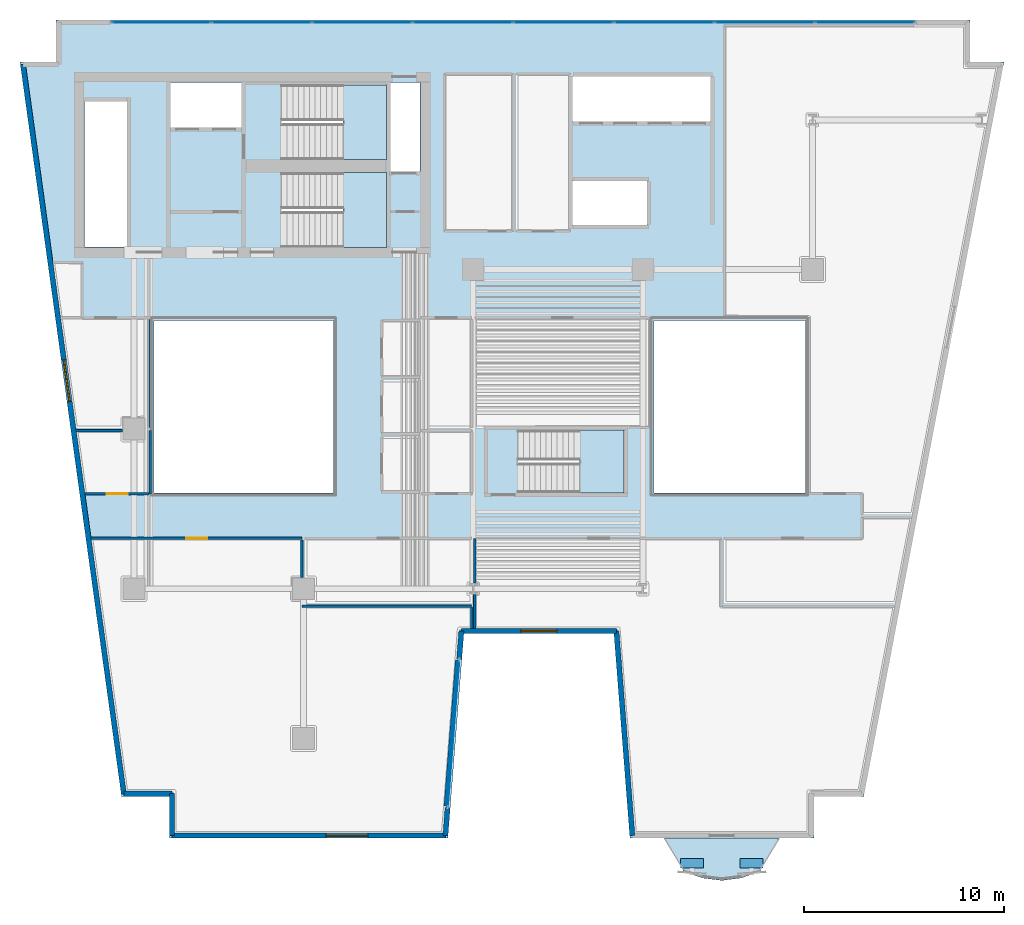
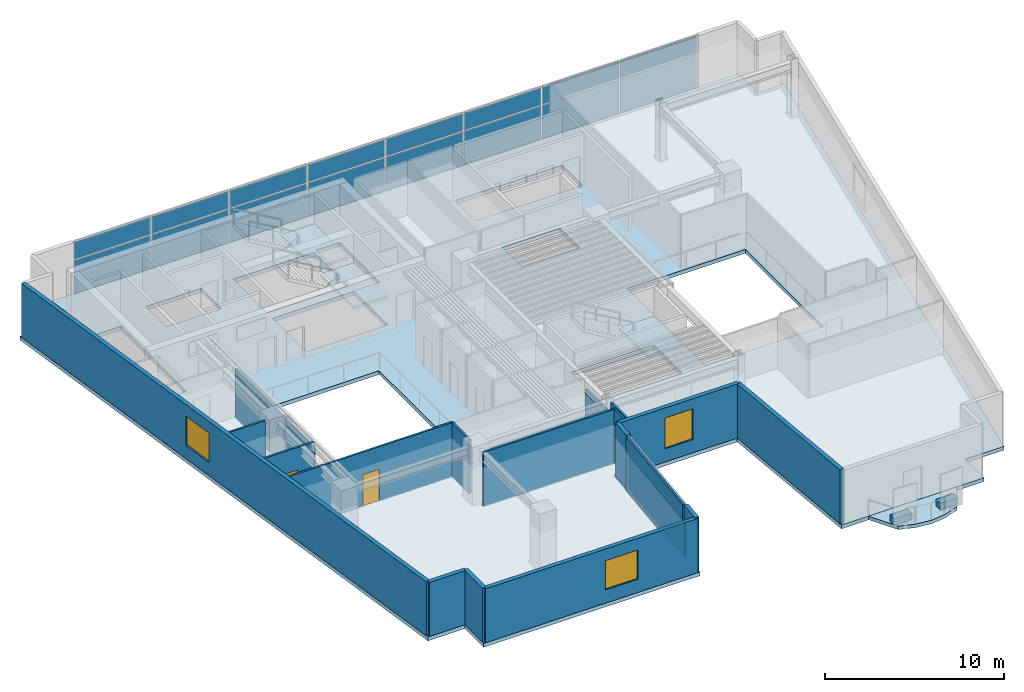
# One storey, part 5 of 12: 20 plates, 19 walls, 5 slabs, 3 windows, 2 doors, 5 openings, 5 elements without a shape of their own.
"""IFC4 building model written with IfcOpenShell, lengths in metres."""

from ifc_helpers import new_model, si_unit, direction, frame, frame_2d, origin, origin_2d, place, context, subcontext, project, spatial, polyline, rectangle, outline, extrude, material, layer, layer_set, type_object, element, fill, aggregate, save


model = new_model("IFC4")

# Units and contexts
model_context = context("Model", 3, precision=1e-05, world=origin(), true_north=direction((0.0, 1.0)))
body_context = subcontext(model_context, "Body", "Model", "MODEL_VIEW")
ifc_project = project(units=[si_unit("LENGTHUNIT", "METRE"), si_unit("AREAUNIT", "SQUARE_METRE"), si_unit("VOLUMEUNIT", "CUBIC_METRE"), si_unit("PLANEANGLEUNIT", "RADIAN"), si_unit("MASSUNIT", "GRAM", prefix="KILO")], contexts=[model_context])

# Site, building, storey
site_placement = place(None, origin())
site = spatial("IfcSite", under=ifc_project, at=site_placement, CompositionType="ELEMENT")
building_placement = place(site_placement, origin())
building = spatial("IfcBuilding", under=site, at=building_placement, Name="Caeloran Harvest Quay", CompositionType="ELEMENT")
storey_placement = place(building_placement, frame((0.0, 0.0, 115.35009765625)))
storey = spatial("IfcBuildingStorey", under=building, at=storey_placement, Name="L26", CompositionType="ELEMENT", Elevation=115.35009765625)

# Slab
ifc_material_1 = material(Name="Concrete C50/60", Category="concrete")
ifc_layer_1 = layer(ifc_material_1, 0.239990234375, Name="Concrete C50/60")
ifc_layer_set_1 = layer_set([ifc_layer_1], Name="Concrete C50/60")
slab_type_1 = type_object("IfcSlabType", Name="BALCONY-BL-240", PredefinedType="FLOOR", material=ifc_layer_set_1)
slab_1_placement = place(storey_placement, frame((0.0, 0.0, -0.239990234375)))
element("IfcSlab", 1, at=slab_1_placement, inside=storey, type_object=slab_type_1, Name="L26 Scalloped Cantilevered Planted Balcony Slab", PredefinedType="FLOOR", context=body_context, shape_type="SweptSolid", body=[
    extrude(outline(polyline([(39.869873046875, 0.830078125), (38.913818359375, 0.50048828125), (37.95751953125, 0.3798828125), (37.001220703125, 0.50048828125), (36.045166015625, 0.830078125), (35.100341796875, 2.5), (40.814697265625, 2.5), (39.869873046875, 0.830078125)])), origin(), (0.0, 0.0, 1.0), 0.239990234375),
])

# Curtain wall, plates
ifc_material_2 = material(Name="Aluminium 6063-T6 and Low-E Glazing", Category="aluminium")
ifc_layer_2 = layer(ifc_material_2, 0.18994140625, Name="Aluminium 6063-T6 and Low-E Glazing")
ifc_layer_set_2 = layer_set([ifc_layer_2], Name="Aluminium 6063-T6 and Low-E Glazing")
curtain_wall_type = type_object("IfcCurtainWallType", Name="CW-SYS-CW-3", PredefinedType="USERDEFINED", material=ifc_layer_set_2)
curtain_wall_1_placement = place(storey_placement, origin())
curtain_wall_1 = element("IfcCurtainWall", 2, at=curtain_wall_1_placement, inside=storey, type_object=curtain_wall_type, Name="L26 Unitised Curtain Wall CW-3 Run 6", ObjectType="CURTAIN_WALL", PredefinedType="USERDEFINED")
ifc_material_3 = material(Name="Low-E Double Glazed Vision Glass Unit", Category="glass")
ifc_layer_3 = layer(ifc_material_3, 0.035888671875, Name="Low-E Double Glazed Vision Glass Unit")
ifc_layer_set_3 = layer_set([ifc_layer_3], Name="Low-E Double Glazed Vision Glass Unit")
plate_type_1 = type_object("IfcPlateType", Name="CW-VISION-PANEL", PredefinedType="CURTAIN_PANEL", material=ifc_layer_set_3)
plate_1_placement = place(storey_placement, frame((9.871337890625, 43.3701171875, 0.080078125), z_axis=(0.0, 0.0, 1.0), x_axis=(1.0, 0.0, 0.0)))
plate_1 = element("IfcPlate", 3, at=plate_1_placement, type_object=plate_type_1, Name="CW-3 panel 1.1", PredefinedType="CURTAIN_PANEL", context=body_context, shape_type="SweptSolid", body=[
    extrude(rectangle(XDim=4.922607421875, YDim=0.035888671875, at=origin_2d()), origin(), (0.0, 0.0, 1.0), 2.280029296875),
])
plate_2_placement = place(storey_placement, frame((9.871337890625, 43.3701171875, 2.43994140625), z_axis=(0.0, 0.0, 1.0), x_axis=(1.0, 0.0, 0.0)))
plate_2 = element("IfcPlate", 4, at=plate_2_placement, type_object=plate_type_1, Name="CW-3 panel 1.2", PredefinedType="CURTAIN_PANEL", context=body_context, shape_type="SweptSolid", body=[
    extrude(rectangle(XDim=4.922607421875, YDim=0.035888671875, at=origin_2d()), origin(), (0.0, 0.0, 1.0), 1.169921875),
])
plate_3_placement = place(storey_placement, frame((14.893798828125, 43.3701171875, 0.080078125), z_axis=(0.0, 0.0, 1.0), x_axis=(1.0, 0.0, 0.0)))
plate_3 = element("IfcPlate", 5, at=plate_3_placement, type_object=plate_type_1, Name="CW-3 panel 2.1", PredefinedType="CURTAIN_PANEL", context=body_context, shape_type="SweptSolid", body=[
    extrude(rectangle(XDim=4.96240234375, YDim=0.035888671875, at=origin_2d()), origin(), (0.0, 0.0, 1.0), 2.280029296875),
])
plate_4_placement = place(storey_placement, frame((14.893798828125, 43.3701171875, 2.43994140625), z_axis=(0.0, 0.0, 1.0), x_axis=(1.0, 0.0, 0.0)))
plate_4 = element("IfcPlate", 6, at=plate_4_placement, type_object=plate_type_1, Name="CW-3 panel 2.2", PredefinedType="CURTAIN_PANEL", context=body_context, shape_type="SweptSolid", body=[
    extrude(rectangle(XDim=4.96240234375, YDim=0.035888671875, at=origin_2d()), origin(), (0.0, 0.0, 1.0), 1.169921875),
])
plate_5_placement = place(storey_placement, frame((19.936279296875, 43.3701171875, 0.080078125), z_axis=(0.0, 0.0, 1.0), x_axis=(1.0, 0.0, 0.0)))
plate_5 = element("IfcPlate", 7, at=plate_5_placement, type_object=plate_type_1, Name="CW-3 panel 3.1", PredefinedType="CURTAIN_PANEL", context=body_context, shape_type="SweptSolid", body=[
    extrude(rectangle(XDim=4.96240234375, YDim=0.035888671875, at=origin_2d()), origin(), (0.0, 0.0, 1.0), 2.280029296875),
])
plate_6_placement = place(storey_placement, frame((19.936279296875, 43.3701171875, 2.43994140625), z_axis=(0.0, 0.0, 1.0), x_axis=(1.0, 0.0, 0.0)))
plate_6 = element("IfcPlate", 8, at=plate_6_placement, type_object=plate_type_1, Name="CW-3 panel 3.2", PredefinedType="CURTAIN_PANEL", context=body_context, shape_type="SweptSolid", body=[
    extrude(rectangle(XDim=4.96240234375, YDim=0.035888671875, at=origin_2d()), origin(), (0.0, 0.0, 1.0), 1.169921875),
])
plate_7_placement = place(storey_placement, frame((24.978759765625, 43.3701171875, 0.080078125), z_axis=(0.0, 0.0, 1.0), x_axis=(1.0, 0.0, 0.0)))
plate_7 = element("IfcPlate", 9, at=plate_7_placement, type_object=plate_type_1, Name="CW-3 panel 4.1", PredefinedType="CURTAIN_PANEL", context=body_context, shape_type="SweptSolid", body=[
    extrude(rectangle(XDim=4.96240234375, YDim=0.035888671875, at=origin_2d()), origin(), (0.0, 0.0, 1.0), 2.280029296875),
])
plate_8_placement = place(storey_placement, frame((24.978759765625, 43.3701171875, 2.43994140625), z_axis=(0.0, 0.0, 1.0), x_axis=(1.0, 0.0, 0.0)))
plate_8 = element("IfcPlate", 10, at=plate_8_placement, type_object=plate_type_1, Name="CW-3 panel 4.2", PredefinedType="CURTAIN_PANEL", context=body_context, shape_type="SweptSolid", body=[
    extrude(rectangle(XDim=4.96240234375, YDim=0.035888671875, at=origin_2d()), origin(), (0.0, 0.0, 1.0), 1.169921875),
])
plate_9_placement = place(storey_placement, frame((30.021240234375, 43.3701171875, 0.080078125), z_axis=(0.0, 0.0, 1.0), x_axis=(1.0, 0.0, 0.0)))
plate_9 = element("IfcPlate", 11, at=plate_9_placement, type_object=plate_type_1, Name="CW-3 panel 5.1", PredefinedType="CURTAIN_PANEL", context=body_context, shape_type="SweptSolid", body=[
    extrude(rectangle(XDim=4.96240234375, YDim=0.035888671875, at=origin_2d()), origin(), (0.0, 0.0, 1.0), 2.280029296875),
])
plate_10_placement = place(storey_placement, frame((30.021240234375, 43.3701171875, 2.43994140625), z_axis=(0.0, 0.0, 1.0), x_axis=(1.0, 0.0, 0.0)))
plate_10 = element("IfcPlate", 12, at=plate_10_placement, type_object=plate_type_1, Name="CW-3 panel 5.2", PredefinedType="CURTAIN_PANEL", context=body_context, shape_type="SweptSolid", body=[
    extrude(rectangle(XDim=4.96240234375, YDim=0.035888671875, at=origin_2d()), origin(), (0.0, 0.0, 1.0), 1.169921875),
])
plate_11_placement = place(storey_placement, frame((35.063720703125, 43.3701171875, 0.080078125), z_axis=(0.0, 0.0, 1.0), x_axis=(1.0, 0.0, 0.0)))
plate_11 = element("IfcPlate", 13, at=plate_11_placement, type_object=plate_type_1, Name="CW-3 panel 6.1", PredefinedType="CURTAIN_PANEL", context=body_context, shape_type="SweptSolid", body=[
    extrude(rectangle(XDim=4.96240234375, YDim=0.035888671875, at=origin_2d()), origin(), (0.0, 0.0, 1.0), 2.280029296875),
])
plate_12_placement = place(storey_placement, frame((35.063720703125, 43.3701171875, 2.43994140625), z_axis=(0.0, 0.0, 1.0), x_axis=(1.0, 0.0, 0.0)))
plate_12 = element("IfcPlate", 14, at=plate_12_placement, type_object=plate_type_1, Name="CW-3 panel 6.2", PredefinedType="CURTAIN_PANEL", context=body_context, shape_type="SweptSolid", body=[
    extrude(rectangle(XDim=4.96240234375, YDim=0.035888671875, at=origin_2d()), origin(), (0.0, 0.0, 1.0), 1.169921875),
])
plate_13_placement = place(storey_placement, frame((40.106201171875, 43.3701171875, 0.080078125), z_axis=(0.0, 0.0, 1.0), x_axis=(1.0, 0.0, 0.0)))
plate_13 = element("IfcPlate", 15, at=plate_13_placement, type_object=plate_type_1, Name="CW-3 panel 7.1", PredefinedType="CURTAIN_PANEL", context=body_context, shape_type="SweptSolid", body=[
    extrude(rectangle(XDim=4.96240234375, YDim=0.035888671875, at=origin_2d()), origin(), (0.0, 0.0, 1.0), 2.280029296875),
])
plate_14_placement = place(storey_placement, frame((40.106201171875, 43.3701171875, 2.43994140625), z_axis=(0.0, 0.0, 1.0), x_axis=(1.0, 0.0, 0.0)))
plate_14 = element("IfcPlate", 16, at=plate_14_placement, type_object=plate_type_1, Name="CW-3 panel 7.2", PredefinedType="CURTAIN_PANEL", context=body_context, shape_type="SweptSolid", body=[
    extrude(rectangle(XDim=4.96240234375, YDim=0.035888671875, at=origin_2d()), origin(), (0.0, 0.0, 1.0), 1.169921875),
])
plate_15_placement = place(storey_placement, frame((45.128662109375, 43.3701171875, 0.080078125), z_axis=(0.0, 0.0, 1.0), x_axis=(1.0, 0.0, 0.0)))
plate_15 = element("IfcPlate", 17, at=plate_15_placement, type_object=plate_type_1, Name="CW-3 panel 8.1", PredefinedType="CURTAIN_PANEL", context=body_context, shape_type="SweptSolid", body=[
    extrude(rectangle(XDim=4.922607421875, YDim=0.035888671875, at=origin_2d()), origin(), (0.0, 0.0, 1.0), 2.280029296875),
])
plate_16_placement = place(storey_placement, frame((45.128662109375, 43.3701171875, 2.43994140625), z_axis=(0.0, 0.0, 1.0), x_axis=(1.0, 0.0, 0.0)))
plate_16 = element("IfcPlate", 18, at=plate_16_placement, type_object=plate_type_1, Name="CW-3 panel 8.2", PredefinedType="CURTAIN_PANEL", context=body_context, shape_type="SweptSolid", body=[
    extrude(rectangle(XDim=4.922607421875, YDim=0.035888671875, at=origin_2d()), origin(), (0.0, 0.0, 1.0), 1.169921875),
])
aggregate(curtain_wall_1, [plate_1, plate_2, plate_3, plate_4, plate_5, plate_6, plate_7, plate_8, plate_9, plate_10, plate_11, plate_12, plate_13, plate_14, plate_15, plate_16])

curtain_wall_2_placement = place(storey_placement, origin())
curtain_wall_2 = element("IfcCurtainWall", 19, at=curtain_wall_2_placement, inside=storey, type_object=curtain_wall_type, Name="L26 Unitised Curtain Wall CW-3 Run 15", ObjectType="CURTAIN_WALL", PredefinedType="USERDEFINED")
plate_17_placement = place(storey_placement, frame((24.509765625, 7.7548828125, 0.080078125), z_axis=(0.0, 0.0, 1.0), x_axis=(-0.077821861046, -0.996967280277, 0.0)))
plate_17 = element("IfcPlate", 20, at=plate_17_placement, type_object=plate_type_1, Name="CW-3 panel 1.1", PredefinedType="CURTAIN_PANEL", context=body_context, shape_type="SweptSolid", body=[
    extrude(rectangle(XDim=7.3212890625, YDim=0.035888671875, at=origin_2d()), origin(), (0.0, 0.0, 1.0), 2.280029296875),
])
plate_18_placement = place(storey_placement, frame((24.509765625, 7.7548828125, 2.43994140625), z_axis=(0.0, 0.0, 1.0), x_axis=(-0.077821861046, -0.996967280277, 0.0)))
plate_18 = element("IfcPlate", 21, at=plate_18_placement, type_object=plate_type_1, Name="CW-3 panel 1.2", PredefinedType="CURTAIN_PANEL", context=body_context, shape_type="SweptSolid", body=[
    extrude(rectangle(XDim=7.3212890625, YDim=0.035888671875, at=origin_2d()), origin(), (0.0, 0.0, 1.0), 1.169921875),
])
aggregate(curtain_wall_2, [plate_17, plate_18])

# Plates
ifc_material_4 = material(Name="Precast concrete C50/60", Category="concrete")
ifc_layer_4 = layer(ifc_material_4, 0.449951171875, Name="Precast concrete C50/60")
ifc_layer_set_4 = layer_set([ifc_layer_4], Name="Precast concrete C50/60")
plate_type_2 = type_object("IfcPlateType", Name="PLANTER-TROUGH-450", PredefinedType="USERDEFINED", material=ifc_layer_set_4)
for number, where, z_axis, x_axis, name in (
    (22, (39.44921875, 1.235107421875, 0.0), (0.0, 0.0, 1.0), (1.0, 0.0, 0.0), "L26 Balcony Vertical-Greenery Precast PLANTER Trough 1"),
    (23, (36.4658203125, 1.235107421875, 0.0), (0.0, 0.0, 1.0), (1.0, 0.0, 0.0), "L26 Balcony Vertical-Greenery Precast PLANTER Trough 2"),
):
    element("IfcPlate", number, at=place(storey_placement, frame(where, z_axis=z_axis, x_axis=x_axis)), inside=storey, type_object=plate_type_2, Name=name, ObjectType="PLANTER", PredefinedType="USERDEFINED", context=body_context, shape_type="SweptSolid", body=[
        extrude(rectangle(XDim=1.14990234375, YDim=0.47998046875, at=origin_2d()), origin(), (0.0, 0.0, 1.0), 0.449951171875),
    ])

# Slab
ifc_layer_5 = layer(ifc_material_1, 0.260009765625, Name="Concrete C50/60")
ifc_layer_set_5 = layer_set([ifc_layer_5], Name="Concrete C50/60")
slab_type_2 = type_object("IfcSlabType", Name="SLAB-FS-260", PredefinedType="FLOOR", material=ifc_layer_set_5)
slab_2_placement = place(storey_placement, frame((0.0, 0.0, -0.260009765625)))
element("IfcSlab", 24, at=slab_2_placement, inside=storey, type_object=slab_type_2, Name="L26 Structural Floor Slab", PredefinedType="FLOOR", context=body_context, shape_type="SweptSolid", body=[
    extrude(outline(polyline([(10.27001953125, 2.5), (24.22998046875, 2.5), (25.030029296875, 12.75), (32.554931640625, 12.75), (33.35498046875, 2.5), (42.570068359375, 2.5), (42.570068359375, 4.60009765625), (45.071044921875, 4.60009765625), (52.09912109375, 41.39990234375), (50.39990234375, 41.39990234375), (50.39990234375, 43.5), (4.60009765625, 43.5), (4.60009765625, 41.39990234375), (2.790283203125, 41.39990234375), (7.879638671875, 4.60009765625), (10.27001953125, 4.60009765625), (10.27001953125, 2.5)]), holes=[polyline([(27.75, 19.800048828125), (27.75, 22.949951171875), (33.050048828125, 22.949951171875), (33.050048828125, 19.800048828125), (27.75, 19.800048828125)]), polyline([(18.5, 19.800048828125), (9.5, 19.800048828125), (9.5, 28.449951171875), (18.5, 28.449951171875), (18.5, 19.800048828125)]), polyline([(42.14990234375, 19.800048828125), (34.550048828125, 19.800048828125), (34.550048828125, 28.449951171875), (42.14990234375, 28.449951171875), (42.14990234375, 19.800048828125)]), polyline([(15.89990234375, 35.85009765625), (21.14990234375, 35.85009765625), (21.14990234375, 32.10009765625), (15.89990234375, 32.10009765625), (15.89990234375, 35.85009765625)]), polyline([(30.47998046875, 33.219970703125), (30.47998046875, 35.429931640625), (34.199951171875, 35.429931640625), (34.199951171875, 33.219970703125), (30.47998046875, 33.219970703125)]), polyline([(8.159912109375, 32.1201171875), (6.02001953125, 32.1201171875), (6.02001953125, 39.419921875), (8.159912109375, 39.419921875), (8.159912109375, 32.1201171875)]), polyline([(22.830078125, 35.919921875), (21.35009765625, 35.919921875), (21.35009765625, 40.3798828125), (22.830078125, 40.3798828125), (22.830078125, 35.919921875)]), polyline([(15.89990234375, 36.5), (15.89990234375, 40.25), (21.14990234375, 40.25), (21.14990234375, 36.5), (15.89990234375, 36.5)]), polyline([(10.320068359375, 38.1201171875), (10.320068359375, 40.3798828125), (13.89990234375, 40.3798828125), (13.89990234375, 38.1201171875), (10.320068359375, 38.1201171875)]), polyline([(30.47998046875, 38.419921875), (30.47998046875, 40.679931640625), (37.3798828125, 40.679931640625), (37.3798828125, 38.419921875), (30.47998046875, 38.419921875)])]), origin(), (0.0, 0.0, 1.0), 0.260009765625),
])

# Stair, slab
stair_type_1 = type_object("IfcStairType", Name="STAIR-STC-180", PredefinedType="HALF_TURN_STAIR", material=ifc_material_1)
stair_1_placement = place(storey_placement, origin())
stair_1 = element("IfcStair", 25, at=stair_1_placement, inside=storey, type_object=stair_type_1, Name="L26 Core Pressurized Exit Stair ST-C1", PredefinedType="HALF_TURN_STAIR")
ifc_layer_6 = layer(ifc_material_1, 0.219970703125, Name="Concrete C50/60")
ifc_layer_set_6 = layer_set([ifc_layer_6], Name="Concrete C50/60")
slab_type_3 = type_object("IfcSlabType", Name="STAIR-LANDING-220", PredefinedType="LANDING", material=ifc_layer_set_6)
slab_3_placement = place(storey_placement, frame((0.0, 0.0, 1.77490234375)))
slab_3 = element("IfcSlab", 26, at=slab_3_placement, type_object=slab_type_3, Name="ST-C1 landing 1", PredefinedType="LANDING", context=body_context, shape_type="SweptSolid", body=[
    extrude(outline(polyline([(18.97998046875, 36.5), (21.14990234375, 36.5), (21.14990234375, 40.25), (18.97998046875, 40.25), (18.97998046875, 36.5)])), origin(), (0.0, 0.0, 1.0), 0.199951171875),
])
aggregate(stair_1, [slab_3])

stair_2_placement = place(storey_placement, origin())
stair_2 = element("IfcStair", 27, at=stair_2_placement, inside=storey, type_object=stair_type_1, Name="L26 Core Pressurized Exit Stair ST-C2", PredefinedType="HALF_TURN_STAIR")
slab_4_placement = place(storey_placement, frame((0.0, 0.0, 1.77490234375)))
slab_4 = element("IfcSlab", 28, at=slab_4_placement, type_object=slab_type_3, Name="ST-C2 landing 1", PredefinedType="LANDING", context=body_context, shape_type="SweptSolid", body=[
    extrude(outline(polyline([(18.97998046875, 32.10009765625), (21.14990234375, 32.10009765625), (21.14990234375, 35.85009765625), (18.97998046875, 35.85009765625), (18.97998046875, 32.10009765625)])), origin(), (0.0, 0.0, 1.0), 0.199951171875),
])
aggregate(stair_2, [slab_4])

stair_type_2 = type_object("IfcStairType", Name="STAIR-STW-150", PredefinedType="HALF_TURN_STAIR", material=ifc_material_1)
stair_3_placement = place(storey_placement, origin())
stair_3 = element("IfcStair", 29, at=stair_3_placement, inside=storey, type_object=stair_type_2, Name="L26 East Wing Protected Exit Stair ST-W1", PredefinedType="HALF_TURN_STAIR")
slab_5_placement = place(storey_placement, frame((0.0, 0.0, 1.77490234375)))
slab_5 = element("IfcSlab", 30, at=slab_5_placement, type_object=slab_type_3, Name="ST-W1 landing 1", PredefinedType="LANDING", context=body_context, shape_type="SweptSolid", body=[
    extrude(outline(polyline([(30.830078125, 19.800048828125), (33.050048828125, 19.800048828125), (33.050048828125, 22.949951171875), (30.830078125, 22.949951171875), (30.830078125, 19.800048828125)])), origin(), (0.0, 0.0, 1.0), 0.199951171875),
])
aggregate(stair_3, [slab_5])

# Walls
ifc_layer_7 = layer(ifc_material_4, 0.260009765625, Name="Precast concrete C50/60")
ifc_layer_set_7 = layer_set([ifc_layer_7], Name="Precast concrete C50/60")
wall_type_1 = type_object("IfcWallType", Name="ENV-WALL-EW-260", PredefinedType="STANDARD", material=ifc_layer_set_7)
wall_1_placement = place(storey_placement, frame((10.39990234375, 2.6298828125, 0.0), z_axis=(0.0, 0.0, 1.0), x_axis=(0.0, 1.0, 0.0)))
element("IfcWall", 31, at=wall_1_placement, inside=storey, type_object=wall_type_1, Name="L26 Exterior Precast Concrete Facade Wall 1", PredefinedType="STANDARD", context=body_context, shape_type="SweptSolid", body=[
    extrude(rectangle(XDim=2.10009765625, YDim=0.260009765625, at=frame_2d((1.050048828125, 0.0))), origin(), (0.0, 0.0, 1.0), 3.68994140625),
])
wall_2_placement = place(storey_placement, frame((10.39990234375, 4.72998046875, 0.0), z_axis=(0.0, 0.0, 1.0), x_axis=(-1.0, 0.0, 0.0)))
element("IfcWall", 32, at=wall_2_placement, inside=storey, type_object=wall_type_1, Name="L26 Exterior Precast Concrete Facade Wall 2", PredefinedType="STANDARD", context=body_context, shape_type="SweptSolid", body=[
    extrude(rectangle(XDim=2.406982421875, YDim=0.260009765625, at=frame_2d((1.20361328125, 0.0))), origin(), (0.0, 0.0, 1.0), 3.68994140625),
])

# Wall, opening, window
wall_3_placement = place(storey_placement, frame((7.992919921875, 4.72998046875, 0.0), z_axis=(0.0, 0.0, 1.0), x_axis=(-0.136989009016, 0.990572567462, 0.0)))
wall_3 = element("IfcWall", 33, at=wall_3_placement, inside=storey, type_object=wall_type_1, Name="L26 Exterior Precast Concrete Facade Wall 3", PredefinedType="STANDARD", context=body_context, shape_type="SweptSolid", body=[
    extrude(rectangle(XDim=36.8876953125, YDim=0.260009765625, at=frame_2d((18.44384765625, 0.0))), origin(), (0.0, 0.0, 1.0), 3.68994140625),
])
opening_1_placement = place(wall_3_placement, frame((19.8388671875, 0.0, 0.89990234375)))
opening_1 = element("IfcOpeningElement", 34, at=opening_1_placement, cuts=wall_3, Name="Opening W-06", PredefinedType="OPENING", context=body_context, shape_type="SweptSolid", body=[
    extrude(rectangle(XDim=2.10009765625, YDim=2.0, at=frame_2d((1.050048828125, 1.0))), frame((0.0, 0.14013671875, 0.0), z_axis=(0.0, -1.0, 0.0), x_axis=(1.0, 0.0, 0.0)), (0.0, 0.0, 1.0), 0.280029296875),
])
ifc_material_5 = material(Name="Aluminium-Framed Low-E Laminated Glass", Category="aluminium")
window_type_1 = type_object("IfcWindowType", Name="WIN-W-06", PartitioningType="DOUBLE_PANEL_VERTICAL", PredefinedType="WINDOW", material=ifc_material_5)
window_1_placement = place(opening_1_placement, origin())
window_1 = element("IfcWindow", 35, at=window_1_placement, inside=storey, type_object=window_type_1, Name="L26 Facade Punched Window W-06", OverallHeight=2.0, OverallWidth=2.10009765625, PartitioningType="DOUBLE_PANEL_VERTICAL", PredefinedType="WINDOW", context=body_context, shape_type="SweptSolid", body=[
    extrude(rectangle(XDim=2.10009765625, YDim=2.0, at=frame_2d((1.050048828125, 1.0))), frame((0.0, 0.030029296875, 0.0), z_axis=(0.0, -1.0, 0.0), x_axis=(1.0, 0.0, 0.0)), (0.0, 0.0, 1.0), 0.06005859375),
])
fill(opening_1, window_1)

# Wall
wall_4_placement = place(storey_placement, frame((33.47509765625, 2.6298828125, 0.0), z_axis=(0.0, 0.0, 1.0), x_axis=(-0.077793257511, 0.996969512616, 0.0)))
element("IfcWall", 36, at=wall_4_placement, inside=storey, type_object=wall_type_1, Name="L26 Exterior Precast Concrete Facade Wall 13", PredefinedType="STANDARD", context=body_context, shape_type="SweptSolid", body=[
    extrude(rectangle(XDim=10.28125, YDim=0.260009765625, at=frame_2d((5.140625, 0.0))), origin(), (0.0, 0.0, 1.0), 3.68994140625),
])

# Wall, opening, window
wall_5_placement = place(storey_placement, frame((32.67529296875, 12.8798828125, 0.0), z_axis=(0.0, 0.0, 1.0), x_axis=(-1.0, 0.0, 0.0)))
wall_5 = element("IfcWall", 37, at=wall_5_placement, inside=storey, type_object=wall_type_1, Name="L26 Exterior Precast Concrete Facade Wall 14", PredefinedType="STANDARD", context=body_context, shape_type="SweptSolid", body=[
    extrude(rectangle(XDim=7.765380859375, YDim=0.260009765625, at=frame_2d((3.8828125, 0.0))), origin(), (0.0, 0.0, 1.0), 3.68994140625),
])
opening_2_placement = place(wall_5_placement, frame((2.98291015625, 0.0, 0.89990234375)))
opening_2 = element("IfcOpeningElement", 38, at=opening_2_placement, cuts=wall_5, Name="Opening W-01", PredefinedType="OPENING", context=body_context, shape_type="SweptSolid", body=[
    extrude(rectangle(XDim=1.800048828125, YDim=2.10009765625, at=frame_2d((0.89990234375, 1.050048828125))), frame((0.0, 0.14013671875, 0.0), z_axis=(0.0, -1.0, 0.0), x_axis=(1.0, 0.0, 0.0)), (0.0, 0.0, 1.0), 0.280029296875),
])
window_type_2 = type_object("IfcWindowType", Name="WIN-W-01", PartitioningType="SINGLE_PANEL", PredefinedType="WINDOW", material=ifc_material_5)
window_2_placement = place(opening_2_placement, origin())
window_2 = element("IfcWindow", 39, at=window_2_placement, inside=storey, type_object=window_type_2, Name="L26 Facade Punched Window W-01", OverallHeight=2.10009765625, OverallWidth=1.800048828125, PartitioningType="SINGLE_PANEL", PredefinedType="WINDOW", context=body_context, shape_type="SweptSolid", body=[
    extrude(rectangle(XDim=1.800048828125, YDim=2.10009765625, at=frame_2d((0.89990234375, 1.050048828125))), frame((0.0, 0.030029296875, 0.0), z_axis=(0.0, -1.0, 0.0), x_axis=(1.0, 0.0, 0.0)), (0.0, 0.0, 1.0), 0.06005859375),
])
fill(opening_2, window_2)

# Walls
for number, where, z_axis, x_axis, name in (
    (40, (24.909912109375, 12.8798828125, 0.0), (0.0, 0.0, 1.0), (-0.077949956455, -0.996957273051, 0.0), "L26 Exterior Facade Corner Pier Wall 15A"),
    (41, (24.21875, 4.025634765625, 0.0), (0.0, 0.0, 1.0), (-0.077776627829, -0.996970810086, 0.0), "L26 Exterior Facade Corner Pier Wall 15B"),
):
    element("IfcWall", number, at=place(storey_placement, frame(where, z_axis=z_axis, x_axis=x_axis)), inside=storey, type_object=wall_type_1, Name=name, PredefinedType="STANDARD", context=body_context, shape_type="SweptSolid", body=[
        extrude(rectangle(XDim=1.39990234375, YDim=0.260009765625, at=frame_2d((0.699951171875, 0.0))), origin(), (0.0, 0.0, 1.0), 3.68994140625),
    ])

# Wall, opening, window
wall_6_placement = place(storey_placement, frame((24.10986328125, 2.6298828125, 0.0), z_axis=(0.0, 0.0, 1.0), x_axis=(-1.0, 0.0, 0.0)))
wall_6 = element("IfcWall", 42, at=wall_6_placement, inside=storey, type_object=wall_type_1, Name="L26 Exterior Precast Concrete Facade Wall 16", PredefinedType="STANDARD", context=body_context, shape_type="SweptSolid", body=[
    extrude(rectangle(XDim=13.7099609375, YDim=0.260009765625, at=frame_2d((6.85498046875, 0.0))), origin(), (0.0, 0.0, 1.0), 3.68994140625),
])
opening_3_placement = place(wall_6_placement, frame((3.885986328125, 0.0, 0.89990234375)))
opening_3 = element("IfcOpeningElement", 43, at=opening_3_placement, cuts=wall_6, Name="Opening W-06", PredefinedType="OPENING", context=body_context, shape_type="SweptSolid", body=[
    extrude(rectangle(XDim=2.10009765625, YDim=2.0, at=frame_2d((1.050048828125, 1.0))), frame((0.0, 0.14013671875, 0.0), z_axis=(0.0, -1.0, 0.0), x_axis=(1.0, 0.0, 0.0)), (0.0, 0.0, 1.0), 0.280029296875),
])
window_3_placement = place(opening_3_placement, origin())
window_3 = element("IfcWindow", 44, at=window_3_placement, inside=storey, type_object=window_type_1, Name="L26 Facade Punched Window W-06", OverallHeight=2.0, OverallWidth=2.10009765625, PartitioningType="DOUBLE_PANEL_VERTICAL", PredefinedType="WINDOW", context=body_context, shape_type="SweptSolid", body=[
    extrude(rectangle(XDim=2.10009765625, YDim=2.0, at=frame_2d((1.050048828125, 1.0))), frame((0.0, 0.030029296875, 0.0), z_axis=(0.0, -1.0, 0.0), x_axis=(1.0, 0.0, 0.0)), (0.0, 0.0, 1.0), 0.06005859375),
])
fill(opening_3, window_3)

# Wall, opening, door
ifc_material_6 = material(Name="Twin-Stud Mineral-Wool Acoustic Gypsum Partition", Category="gypsum")
ifc_layer_8 = layer(ifc_material_6, 0.125, Name="Twin-Stud Mineral-Wool Acoustic Gypsum Partition")
ifc_layer_set_8 = layer_set([ifc_layer_8], Name="Twin-Stud Mineral-Wool Acoustic Gypsum Partition")
wall_type_2 = type_object("IfcWallType", Name="INT-WALL-PW-125", PredefinedType="PARTITIONING", material=ifc_layer_set_8)
wall_7_placement = place(storey_placement, frame((6.3603515625, 17.52001953125, 0.0), z_axis=(0.0, 0.0, 1.0), x_axis=(1.0, 0.0, 0.0)))
wall_7 = element("IfcWall", 45, at=wall_7_placement, inside=storey, type_object=wall_type_2, Name="Agri-Robotics Open Research Workspace Partition Wall", PredefinedType="PARTITIONING", context=body_context, shape_type="SweptSolid", body=[
    extrude(rectangle(XDim=10.5595703125, YDim=0.125, at=frame_2d((5.27978515625, 0.0))), origin(), (0.0, 0.0, 1.0), 3.68994140625),
])
opening_4_placement = place(wall_7_placement, frame((4.7548828125, 0.0, 0.0)))
opening_4 = element("IfcOpeningElement", 46, at=opening_4_placement, cuts=wall_7, Name="Opening ID-03", PredefinedType="OPENING", context=body_context, shape_type="SweptSolid", body=[
    extrude(rectangle(XDim=1.050048828125, YDim=2.14990234375, at=frame_2d((0.52490234375, 1.074951171875))), frame((0.0, 0.072509765625, 0.0), z_axis=(0.0, -1.0, 0.0), x_axis=(1.0, 0.0, 0.0)), (0.0, 0.0, 1.0), 0.14501953125),
])
ifc_material_7 = material(Name="FSC Solid-Core Oak Timber Leaf", Category="wood")
door_type = type_object("IfcDoorType", Name="INTDOOR-ID-03", OperationType="NOTDEFINED", PredefinedType="DOOR", material=ifc_material_7)
door_1_placement = place(opening_4_placement, origin())
door_1 = element("IfcDoor", 47, at=door_1_placement, inside=storey, type_object=door_type, Name="Agri-Robotics Open Research Workspace Access Door", OperationType="SINGLE_SWING_LEFT", OverallHeight=2.14990234375, OverallWidth=1.050048828125, PredefinedType="DOOR", context=body_context, shape_type="SweptSolid", body=[
    extrude(rectangle(XDim=1.050048828125, YDim=2.14990234375, at=frame_2d((0.52490234375, 1.074951171875))), frame((0.0, 0.02490234375, 0.0), z_axis=(0.0, -1.0, 0.0), x_axis=(1.0, 0.0, 0.0)), (0.0, 0.0, 1.0), 0.050048828125),
])
fill(opening_4, door_1)

# Walls
wall_8_placement = place(storey_placement, frame((16.919921875, 17.452392578125, 0.0), z_axis=(0.0, 0.0, 1.0), x_axis=(0.0, -1.0, 0.0)))
element("IfcWall", 48, at=wall_8_placement, inside=storey, type_object=wall_type_2, Name="Agri-Robotics Open Research Workspace Partition Wall", PredefinedType="PARTITIONING", context=body_context, shape_type="SweptSolid", body=[
    extrude(rectangle(XDim=1.87744140625, YDim=0.125, at=frame_2d((0.938720703125, 0.0))), origin(), (0.0, 0.0, 1.0), 3.68994140625),
])
wall_9_placement = place(storey_placement, frame((16.919921875, 14.1201171875, 0.0), z_axis=(0.0, 0.0, 1.0), x_axis=(1.0, 0.0, 0.0)))
element("IfcWall", 49, at=wall_9_placement, inside=storey, type_object=wall_type_2, Name="Agri-Robotics Open Research Workspace Partition Wall", PredefinedType="PARTITIONING", context=body_context, shape_type="SweptSolid", body=[
    extrude(rectangle(XDim=8.5, YDim=0.125, at=frame_2d((4.25, 0.0))), origin(), (0.0, 0.0, 1.0), 3.68994140625),
])
wall_10_placement = place(storey_placement, frame((25.419921875, 14.052490234375, 0.0), z_axis=(0.0, 0.0, 1.0), x_axis=(0.0, -1.0, 0.0)))
element("IfcWall", 50, at=wall_10_placement, inside=storey, type_object=wall_type_2, Name="Agri-Robotics Open Research Workspace Partition Wall", PredefinedType="PARTITIONING", context=body_context, shape_type="SweptSolid", body=[
    extrude(rectangle(XDim=1.03759765625, YDim=0.125, at=frame_2d((0.518798828125, 0.0))), origin(), (0.0, 0.0, 1.0), 3.68994140625),
])
wall_11_placement = place(storey_placement, frame((24.665771484375, 11.419921875, 0.0), z_axis=(0.0, 0.0, 1.0), x_axis=(-0.077816821526, -0.996967673642, 0.0)))
element("IfcWall", 51, at=wall_11_placement, inside=storey, type_object=wall_type_2, Name="Agri-Robotics Open Research Workspace Partition Wall", PredefinedType="PARTITIONING", context=body_context, shape_type="SweptSolid", body=[
    extrude(rectangle(XDim=7.33203125, YDim=0.125, at=frame_2d((3.666015625, 0.0))), origin(), (0.0, 0.0, 1.0), 3.68994140625),
])
wall_12_placement = place(storey_placement, frame((25.580078125, 13.014892578125, 0.0), z_axis=(0.0, 0.0, 1.0), x_axis=(0.0, 1.0, 0.0)))
element("IfcWall", 52, at=wall_12_placement, inside=storey, type_object=wall_type_2, Name="Crop Genomics Wet Laboratory Partition Wall", PredefinedType="PARTITIONING", context=body_context, shape_type="SweptSolid", body=[
    extrude(rectangle(XDim=1.703125, YDim=0.125, at=frame_2d((0.8515625, 0.0))), origin(), (0.0, 0.0, 1.0), 3.68994140625),
])
wall_13_placement = place(storey_placement, frame((25.580078125, 15.281982421875, 0.0), z_axis=(0.0, 0.0, 1.0), x_axis=(0.0, 1.0, 0.0)))
element("IfcWall", 53, at=wall_13_placement, inside=storey, type_object=wall_type_2, Name="Crop Genomics Wet Laboratory Partition Wall", PredefinedType="PARTITIONING", context=body_context, shape_type="SweptSolid", body=[
    extrude(rectangle(XDim=2.238037109375, YDim=0.125, at=frame_2d((1.119140625, 0.0))), origin(), (0.0, 0.0, 1.0), 2.875),
])
wall_14_placement = place(storey_placement, frame((9.320068359375, 22.919921875, 0.0), z_axis=(0.0, 0.0, 1.0), x_axis=(0.0, -1.0, 0.0)))
element("IfcWall", 54, at=wall_14_placement, inside=storey, type_object=wall_type_2, Name="Collaborators Tea Lounge Partition Wall", PredefinedType="PARTITIONING", context=body_context, shape_type="SweptSolid", body=[
    extrude(rectangle(XDim=3.169921875, YDim=0.125, at=frame_2d((1.5849609375, 0.0))), origin(), (0.0, 0.0, 1.0), 3.31494140625),
])

# Wall, opening, door
wall_15_placement = place(storey_placement, frame((9.25244140625, 19.75, 0.0), z_axis=(0.0, 0.0, 1.0), x_axis=(-1.0, 0.0, 0.0)))
wall_15 = element("IfcWall", 55, at=wall_15_placement, inside=storey, type_object=wall_type_2, Name="Collaborators Tea Lounge Partition Wall", PredefinedType="PARTITIONING", context=body_context, shape_type="SweptSolid", body=[
    extrude(rectangle(XDim=3.200439453125, YDim=0.125, at=frame_2d((1.60009765625, 0.0))), origin(), (0.0, 0.0, 1.0), 3.68994140625),
])
opening_5_placement = place(wall_15_placement, frame((1.0751953125, 0.0, 0.0)))
opening_5 = element("IfcOpeningElement", 56, at=opening_5_placement, cuts=wall_15, Name="Opening ID-03", PredefinedType="OPENING", context=body_context, shape_type="SweptSolid", body=[
    extrude(rectangle(XDim=1.050048828125, YDim=2.14990234375, at=frame_2d((0.52490234375, 1.074951171875))), frame((0.0, 0.072509765625, 0.0), z_axis=(0.0, -1.0, 0.0), x_axis=(1.0, 0.0, 0.0)), (0.0, 0.0, 1.0), 0.14501953125),
])
door_2_placement = place(opening_5_placement, origin())
door_2 = element("IfcDoor", 57, at=door_2_placement, inside=storey, type_object=door_type, Name="Collaborators Tea Lounge Access Door", OperationType="SINGLE_SWING_RIGHT", OverallHeight=2.14990234375, OverallWidth=1.050048828125, PredefinedType="DOOR", context=body_context, shape_type="SweptSolid", body=[
    extrude(rectangle(XDim=1.050048828125, YDim=2.14990234375, at=frame_2d((0.52490234375, 1.074951171875))), frame((0.0, 0.02490234375, 0.0), z_axis=(0.0, -1.0, 0.0), x_axis=(1.0, 0.0, 0.0)), (0.0, 0.0, 1.0), 0.050048828125),
])
fill(opening_5, door_2)

# Walls
wall_16_placement = place(storey_placement, frame((5.613525390625, 22.919921875, 0.0), z_axis=(0.0, 0.0, 1.0), x_axis=(1.0, 0.0, 0.0)))
element("IfcWall", 58, at=wall_16_placement, inside=storey, type_object=wall_type_2, Name="Collaborators Tea Lounge Partition Wall", PredefinedType="PARTITIONING", context=body_context, shape_type="SweptSolid", body=[
    extrude(rectangle(XDim=2.3115234375, YDim=0.125, at=frame_2d((1.15576171875, 0.0))), origin(), (0.0, 0.0, 1.0), 3.68994140625),
])
wall_17_placement = place(storey_placement, frame((9.320068359375, 28.50244140625, 0.0), z_axis=(0.0, 0.0, 1.0), x_axis=(0.0, -1.0, 0.0)))
element("IfcWall", 59, at=wall_17_placement, inside=storey, type_object=wall_type_2, Name="Crop Genomics Wet Laboratory 9 Partition Wall", PredefinedType="PARTITIONING", context=body_context, shape_type="SweptSolid", body=[
    extrude(rectangle(XDim=5.42236328125, YDim=0.125, at=frame_2d((2.711181640625, 0.0))), origin(), (0.0, 0.0, 1.0), 3.31494140625),
])

save(model, "model.ifc")
